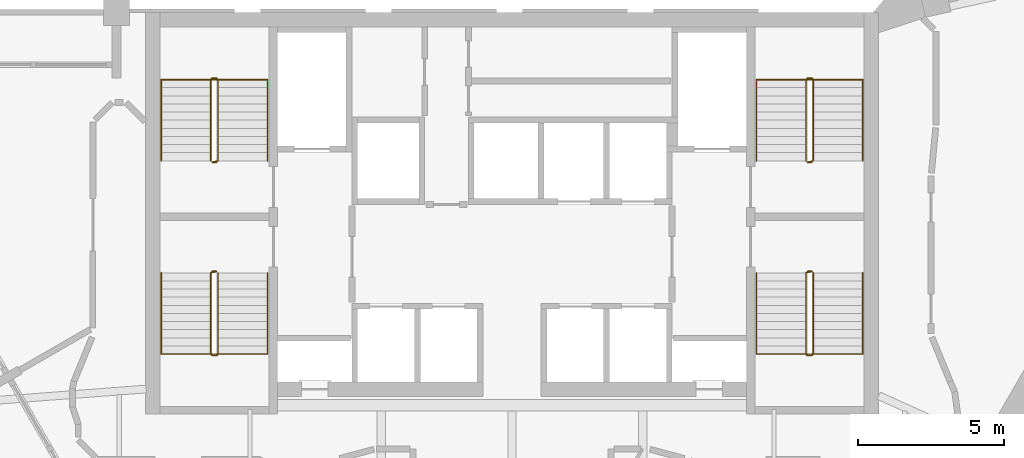
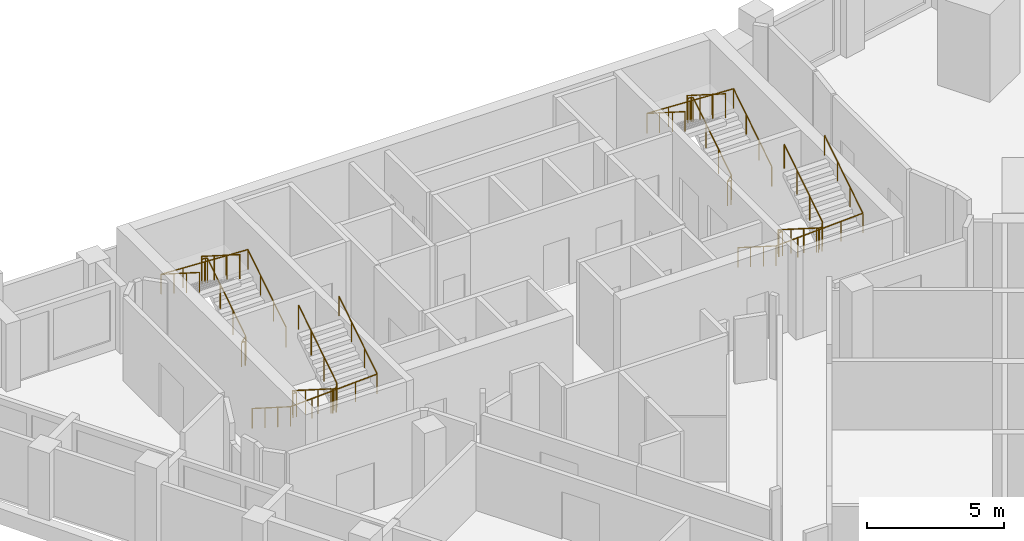
# One storey, part 8 of 8: 8 railings.
"""IFC4 building model written with IfcOpenShell, lengths in metres."""

from ifc_helpers import new_model, si_unit, direction, frame, origin, origin_2d, place, context, subcontext, project, spatial, circle, extrude, material, type_object, element, save


model = new_model("IFC4")

# Units and contexts
model_context = context("Model", 3, precision=1e-05, world=origin(), true_north=direction((0.0, 1.0)))
body_context = subcontext(model_context, "Body", "Model", "MODEL_VIEW")
ifc_project = project(units=[si_unit("LENGTHUNIT", "METRE"), si_unit("AREAUNIT", "SQUARE_METRE"), si_unit("VOLUMEUNIT", "CUBIC_METRE"), si_unit("PLANEANGLEUNIT", "RADIAN"), si_unit("MASSUNIT", "GRAM", prefix="KILO")], contexts=[model_context])

# Site, building, storey
site_placement = place(None, origin())
site = spatial("IfcSite", under=ifc_project, at=site_placement, CompositionType="ELEMENT")
building_placement = place(site_placement, origin())
building = spatial("IfcBuilding", under=site, at=building_placement, Name="Calabash Gate Tower", CompositionType="ELEMENT")
storey_placement = place(building_placement, frame((0.0, 0.0, 267.699951171875)))
storey = spatial("IfcBuildingStorey", under=building, at=storey_placement, Name="L64", CompositionType="ELEMENT", Elevation=267.699951171875)

# Railings
ifc_material_1 = material(Name="Black powder-coated steel balusters", Category="steel")
railing_type_1 = type_object("IfcRailingType", Name="Stair guard RL1100", PredefinedType="GUARDRAIL", material=ifc_material_1)
railing_1_placement = place(storey_placement, frame((-10.14990234375, 13.902587890625, 0.0)))
element("IfcRailing", 1, at=railing_1_placement, inside=storey, type_object=railing_type_1, Name="L64 ST1 stair guard 1", PredefinedType="GUARDRAIL", context=body_context, shape_type="SweptSolid", body=[
    extrude(circle(Radius=0.02392578125, at=origin_2d()), frame((0.0, 0.0, 1.076171875), z_axis=(-1.0, 0.0, 0.0), x_axis=(0.0, -1.0, 0.0)), (0.0, 0.0, 1.0), 0.150146484375),
    extrude(circle(Radius=0.02392578125, at=origin_2d()), frame((-0.150146484375, 0.0, 1.076171875), z_axis=(0.735524641326, 0.184105679453, 0.652003528208), x_axis=(-0.242814311512, 0.970072785993, 0.0)), (0.0, 0.0, 1.0), 0.271728515625),
    extrude(circle(Radius=0.02392578125, at=origin_2d()), frame((0.0498046875, 0.050048828125, 1.25341796875), z_axis=(0.0, 0.844041424197, 0.536277982245), x_axis=(-1.0, 0.0, 0.0)), (0.0, 0.0, 1.0), 3.3056640625),
    extrude(circle(Radius=0.02392578125, at=origin_2d()), frame((0.0498046875, 2.840087890625, 3.02587890625), z_axis=(-0.707106781187, 0.707106781187, 0.0), x_axis=(-0.707106781187, -0.707106781187, 0.0)), (0.0, 0.0, 1.0), 0.0703125),
    extrude(circle(Radius=0.02392578125, at=origin_2d()), frame((0.0, 2.889892578125, 3.02587890625), z_axis=(-1.0, 0.0, 0.0), x_axis=(0.0, -1.0, 0.0)), (0.0, 0.0, 1.0), 0.150146484375),
    extrude(circle(Radius=0.02392578125, at=origin_2d()), frame((-0.150146484375, 2.889892578125, 3.02587890625), z_axis=(-0.262009983441, -0.260731885961, 0.929176868105), x_axis=(0.705375805398, -0.708833529934, 0.0)), (0.0, 0.0, 1.0), 0.19091796875),
    extrude(circle(Radius=0.02392578125, at=origin_2d()), frame((-0.2001953125, 2.840087890625, 3.20361328125), z_axis=(0.0, -0.844041424197, 0.536277982245), x_axis=(1.0, 0.0, 0.0)), (0.0, 0.0, 1.0), 3.3056640625),
    extrude(circle(Radius=0.02099609375, at=origin_2d()), origin(), (0.0, 0.0, 1.0), 1.052001953125),
    extrude(circle(Radius=0.02099609375, at=origin_2d()), frame((-0.150146484375, 0.0, 0.0)), (0.0, 0.0, 1.0), 1.052001953125),
    extrude(circle(Radius=0.02099609375, at=origin_2d()), frame((0.0498046875, 0.050048828125, 0.17724609375)), (0.0, 0.0, 1.0), 1.052001953125),
    extrude(circle(Radius=0.02099609375, at=origin_2d()), frame((0.0498046875, 0.97998046875, 0.76806640625)), (0.0, 0.0, 1.0), 1.052001953125),
    extrude(circle(Radius=0.02099609375, at=origin_2d()), frame((0.0498046875, 1.91015625, 1.359130859375)), (0.0, 0.0, 1.0), 1.052001953125),
    extrude(circle(Radius=0.02099609375, at=origin_2d()), frame((0.0498046875, 2.840087890625, 1.949951171875)), (0.0, 0.0, 1.0), 1.052001953125),
    extrude(circle(Radius=0.02099609375, at=origin_2d()), frame((0.0, 2.889892578125, 1.949951171875)), (0.0, 0.0, 1.0), 1.052001953125),
    extrude(circle(Radius=0.02099609375, at=origin_2d()), frame((-0.150146484375, 2.889892578125, 1.949951171875)), (0.0, 0.0, 1.0), 1.052001953125),
    extrude(circle(Radius=0.02099609375, at=origin_2d()), frame((-0.2001953125, 2.840087890625, 2.12744140625)), (0.0, 0.0, 1.0), 1.052001953125),
    extrude(circle(Radius=0.02099609375, at=origin_2d()), frame((-0.2001953125, 1.91015625, 2.71826171875)), (0.0, 0.0, 1.0), 1.052001953125),
    extrude(circle(Radius=0.02099609375, at=origin_2d()), frame((-0.2001953125, 0.97998046875, 3.309326171875)), (0.0, 0.0, 1.0), 1.052001953125),
    extrude(circle(Radius=0.02099609375, at=origin_2d()), frame((-0.2001953125, 0.050048828125, 3.900146484375)), (0.0, 0.0, 1.0), 1.052001953125),
])
railing_2_placement = place(storey_placement, frame((-10.300048828125, 10.152587890625, 0.0)))
element("IfcRailing", 2, at=railing_2_placement, inside=storey, type_object=railing_type_1, Name="L64 ST2 stair guard 1", PredefinedType="GUARDRAIL", context=body_context, shape_type="SweptSolid", body=[
    extrude(circle(Radius=0.02392578125, at=origin_2d()), frame((0.0, 0.0, 1.076171875), z_axis=(1.0, 0.0, 0.0), x_axis=(0.0, 1.0, 0.0)), (0.0, 0.0, 1.0), 0.150146484375),
    extrude(circle(Radius=0.02392578125, at=origin_2d()), frame((0.150146484375, 0.0, 1.076171875), z_axis=(-0.735936453418, -0.183984113355, 0.651573006319), x_axis=(0.242535625036, -0.970142500145, 0.0)), (0.0, 0.0, 1.0), 0.27197265625),
    extrude(circle(Radius=0.02392578125, at=origin_2d()), frame((-0.050048828125, -0.050048828125, 1.25341796875), z_axis=(0.0, -0.844041424197, 0.536277982245), x_axis=(1.0, 0.0, 0.0)), (0.0, 0.0, 1.0), 3.3056640625),
    extrude(circle(Radius=0.02392578125, at=origin_2d()), frame((-0.050048828125, -2.840087890625, 3.02587890625), z_axis=(0.708833529934, -0.705375805398, 0.0), x_axis=(0.705375805398, 0.708833529934, 0.0)), (0.0, 0.0, 1.0), 0.070556640625),
    extrude(circle(Radius=0.02392578125, at=origin_2d()), frame((0.0, -2.889892578125, 3.02587890625), z_axis=(1.0, 0.0, 0.0), x_axis=(0.0, 1.0, 0.0)), (0.0, 0.0, 1.0), 0.150146484375),
    extrude(circle(Radius=0.02392578125, at=origin_2d()), frame((0.150146484375, -2.889892578125, 3.02587890625), z_axis=(0.26081902908, 0.26081902908, 0.92948742226), x_axis=(-0.707106781187, 0.707106781187, 0.0)), (0.0, 0.0, 1.0), 0.19091796875),
    extrude(circle(Radius=0.02392578125, at=origin_2d()), frame((0.199951171875, -2.840087890625, 3.20361328125), z_axis=(0.0, 0.844041424197, 0.536277982245), x_axis=(-1.0, 0.0, 0.0)), (0.0, 0.0, 1.0), 3.3056640625),
    extrude(circle(Radius=0.02099609375, at=origin_2d()), origin(), (0.0, 0.0, 1.0), 1.052001953125),
    extrude(circle(Radius=0.02099609375, at=origin_2d()), frame((0.150146484375, 0.0, 0.0)), (0.0, 0.0, 1.0), 1.052001953125),
    extrude(circle(Radius=0.02099609375, at=origin_2d()), frame((-0.050048828125, -0.050048828125, 0.17724609375)), (0.0, 0.0, 1.0), 1.052001953125),
    extrude(circle(Radius=0.02099609375, at=origin_2d()), frame((-0.050048828125, -0.97998046875, 0.76806640625)), (0.0, 0.0, 1.0), 1.052001953125),
    extrude(circle(Radius=0.02099609375, at=origin_2d()), frame((-0.050048828125, -1.91015625, 1.359130859375)), (0.0, 0.0, 1.0), 1.052001953125),
    extrude(circle(Radius=0.02099609375, at=origin_2d()), frame((-0.050048828125, -2.840087890625, 1.949951171875)), (0.0, 0.0, 1.0), 1.052001953125),
    extrude(circle(Radius=0.02099609375, at=origin_2d()), frame((0.0, -2.889892578125, 1.949951171875)), (0.0, 0.0, 1.0), 1.052001953125),
    extrude(circle(Radius=0.02099609375, at=origin_2d()), frame((0.150146484375, -2.889892578125, 1.949951171875)), (0.0, 0.0, 1.0), 1.052001953125),
    extrude(circle(Radius=0.02099609375, at=origin_2d()), frame((0.199951171875, -2.840087890625, 2.12744140625)), (0.0, 0.0, 1.0), 1.052001953125),
    extrude(circle(Radius=0.02099609375, at=origin_2d()), frame((0.199951171875, -1.91015625, 2.71826171875)), (0.0, 0.0, 1.0), 1.052001953125),
    extrude(circle(Radius=0.02099609375, at=origin_2d()), frame((0.199951171875, -0.97998046875, 3.309326171875)), (0.0, 0.0, 1.0), 1.052001953125),
    extrude(circle(Radius=0.02099609375, at=origin_2d()), frame((0.199951171875, -0.050048828125, 3.900146484375)), (0.0, 0.0, 1.0), 1.052001953125),
])
railing_3_placement = place(storey_placement, frame((10.300048828125, 13.902587890625, 0.0)))
element("IfcRailing", 3, at=railing_3_placement, inside=storey, type_object=railing_type_1, Name="L64 ST3 stair guard 1", PredefinedType="GUARDRAIL", context=body_context, shape_type="SweptSolid", body=[
    extrude(circle(Radius=0.02392578125, at=origin_2d()), frame((0.0, 0.0, 1.076171875), z_axis=(-1.0, 0.0, 0.0), x_axis=(0.0, -1.0, 0.0)), (0.0, 0.0, 1.0), 0.150146484375),
    extrude(circle(Radius=0.02392578125, at=origin_2d()), frame((-0.150146484375, 0.0, 1.076171875), z_axis=(0.735936453418, 0.183984113355, 0.651573006319), x_axis=(-0.242535625036, 0.970142500145, 0.0)), (0.0, 0.0, 1.0), 0.27197265625),
    extrude(circle(Radius=0.02392578125, at=origin_2d()), frame((0.050048828125, 0.050048828125, 1.25341796875), z_axis=(0.0, 0.844041424197, 0.536277982245), x_axis=(-1.0, 0.0, 0.0)), (0.0, 0.0, 1.0), 3.3056640625),
    extrude(circle(Radius=0.02392578125, at=origin_2d()), frame((0.050048828125, 2.840087890625, 3.02587890625), z_axis=(-0.708833529934, 0.705375805398, 0.0), x_axis=(-0.705375805398, -0.708833529934, 0.0)), (0.0, 0.0, 1.0), 0.070556640625),
    extrude(circle(Radius=0.02392578125, at=origin_2d()), frame((0.0, 2.889892578125, 3.02587890625), z_axis=(-1.0, 0.0, 0.0), x_axis=(0.0, -1.0, 0.0)), (0.0, 0.0, 1.0), 0.150146484375),
    extrude(circle(Radius=0.02392578125, at=origin_2d()), frame((-0.150146484375, 2.889892578125, 3.02587890625), z_axis=(-0.26081902908, -0.26081902908, 0.92948742226), x_axis=(0.707106781187, -0.707106781187, 0.0)), (0.0, 0.0, 1.0), 0.19091796875),
    extrude(circle(Radius=0.02392578125, at=origin_2d()), frame((-0.199951171875, 2.840087890625, 3.20361328125), z_axis=(0.0, -0.844041424197, 0.536277982245), x_axis=(1.0, 0.0, 0.0)), (0.0, 0.0, 1.0), 3.3056640625),
    extrude(circle(Radius=0.02099609375, at=origin_2d()), origin(), (0.0, 0.0, 1.0), 1.052001953125),
    extrude(circle(Radius=0.02099609375, at=origin_2d()), frame((-0.150146484375, 0.0, 0.0)), (0.0, 0.0, 1.0), 1.052001953125),
    extrude(circle(Radius=0.02099609375, at=origin_2d()), frame((0.050048828125, 0.050048828125, 0.17724609375)), (0.0, 0.0, 1.0), 1.052001953125),
    extrude(circle(Radius=0.02099609375, at=origin_2d()), frame((0.050048828125, 0.97998046875, 0.76806640625)), (0.0, 0.0, 1.0), 1.052001953125),
    extrude(circle(Radius=0.02099609375, at=origin_2d()), frame((0.050048828125, 1.91015625, 1.359130859375)), (0.0, 0.0, 1.0), 1.052001953125),
    extrude(circle(Radius=0.02099609375, at=origin_2d()), frame((0.050048828125, 2.840087890625, 1.949951171875)), (0.0, 0.0, 1.0), 1.052001953125),
    extrude(circle(Radius=0.02099609375, at=origin_2d()), frame((0.0, 2.889892578125, 1.949951171875)), (0.0, 0.0, 1.0), 1.052001953125),
    extrude(circle(Radius=0.02099609375, at=origin_2d()), frame((-0.150146484375, 2.889892578125, 1.949951171875)), (0.0, 0.0, 1.0), 1.052001953125),
    extrude(circle(Radius=0.02099609375, at=origin_2d()), frame((-0.199951171875, 2.840087890625, 2.12744140625)), (0.0, 0.0, 1.0), 1.052001953125),
    extrude(circle(Radius=0.02099609375, at=origin_2d()), frame((-0.199951171875, 1.91015625, 2.71826171875)), (0.0, 0.0, 1.0), 1.052001953125),
    extrude(circle(Radius=0.02099609375, at=origin_2d()), frame((-0.199951171875, 0.97998046875, 3.309326171875)), (0.0, 0.0, 1.0), 1.052001953125),
    extrude(circle(Radius=0.02099609375, at=origin_2d()), frame((-0.199951171875, 0.050048828125, 3.900146484375)), (0.0, 0.0, 1.0), 1.052001953125),
])
railing_4_placement = place(storey_placement, frame((10.14990234375, 10.152587890625, 0.0)))
element("IfcRailing", 4, at=railing_4_placement, inside=storey, type_object=railing_type_1, Name="L64 ST4 stair guard 1", PredefinedType="GUARDRAIL", context=body_context, shape_type="SweptSolid", body=[
    extrude(circle(Radius=0.02392578125, at=origin_2d()), frame((0.0, 0.0, 1.076171875), z_axis=(1.0, 0.0, 0.0), x_axis=(0.0, 1.0, 0.0)), (0.0, 0.0, 1.0), 0.150146484375),
    extrude(circle(Radius=0.02392578125, at=origin_2d()), frame((0.150146484375, 0.0, 1.076171875), z_axis=(-0.735524641326, -0.184105679453, 0.652003528208), x_axis=(0.242814311512, -0.970072785993, 0.0)), (0.0, 0.0, 1.0), 0.271728515625),
    extrude(circle(Radius=0.02392578125, at=origin_2d()), frame((-0.0498046875, -0.050048828125, 1.25341796875), z_axis=(0.0, -0.844041424197, 0.536277982245), x_axis=(1.0, 0.0, 0.0)), (0.0, 0.0, 1.0), 3.3056640625),
    extrude(circle(Radius=0.02392578125, at=origin_2d()), frame((-0.0498046875, -2.840087890625, 3.02587890625), z_axis=(0.707106781187, -0.707106781187, 0.0), x_axis=(0.707106781187, 0.707106781187, 0.0)), (0.0, 0.0, 1.0), 0.0703125),
    extrude(circle(Radius=0.02392578125, at=origin_2d()), frame((0.0, -2.889892578125, 3.02587890625), z_axis=(1.0, 0.0, 0.0), x_axis=(0.0, 1.0, 0.0)), (0.0, 0.0, 1.0), 0.150146484375),
    extrude(circle(Radius=0.02392578125, at=origin_2d()), frame((0.150146484375, -2.889892578125, 3.02587890625), z_axis=(0.262009983441, 0.260731885961, 0.929176868105), x_axis=(-0.705375805398, 0.708833529934, 0.0)), (0.0, 0.0, 1.0), 0.19091796875),
    extrude(circle(Radius=0.02392578125, at=origin_2d()), frame((0.2001953125, -2.840087890625, 3.20361328125), z_axis=(0.0, 0.844041424197, 0.536277982245), x_axis=(-1.0, 0.0, 0.0)), (0.0, 0.0, 1.0), 3.3056640625),
    extrude(circle(Radius=0.02099609375, at=origin_2d()), origin(), (0.0, 0.0, 1.0), 1.052001953125),
    extrude(circle(Radius=0.02099609375, at=origin_2d()), frame((0.150146484375, 0.0, 0.0)), (0.0, 0.0, 1.0), 1.052001953125),
    extrude(circle(Radius=0.02099609375, at=origin_2d()), frame((-0.0498046875, -0.050048828125, 0.17724609375)), (0.0, 0.0, 1.0), 1.052001953125),
    extrude(circle(Radius=0.02099609375, at=origin_2d()), frame((-0.0498046875, -0.97998046875, 0.76806640625)), (0.0, 0.0, 1.0), 1.052001953125),
    extrude(circle(Radius=0.02099609375, at=origin_2d()), frame((-0.0498046875, -1.91015625, 1.359130859375)), (0.0, 0.0, 1.0), 1.052001953125),
    extrude(circle(Radius=0.02099609375, at=origin_2d()), frame((-0.0498046875, -2.840087890625, 1.949951171875)), (0.0, 0.0, 1.0), 1.052001953125),
    extrude(circle(Radius=0.02099609375, at=origin_2d()), frame((0.0, -2.889892578125, 1.949951171875)), (0.0, 0.0, 1.0), 1.052001953125),
    extrude(circle(Radius=0.02099609375, at=origin_2d()), frame((0.150146484375, -2.889892578125, 1.949951171875)), (0.0, 0.0, 1.0), 1.052001953125),
    extrude(circle(Radius=0.02099609375, at=origin_2d()), frame((0.2001953125, -2.840087890625, 2.12744140625)), (0.0, 0.0, 1.0), 1.052001953125),
    extrude(circle(Radius=0.02099609375, at=origin_2d()), frame((0.2001953125, -1.91015625, 2.71826171875)), (0.0, 0.0, 1.0), 1.052001953125),
    extrude(circle(Radius=0.02099609375, at=origin_2d()), frame((0.2001953125, -0.97998046875, 3.309326171875)), (0.0, 0.0, 1.0), 1.052001953125),
    extrude(circle(Radius=0.02099609375, at=origin_2d()), frame((0.2001953125, -0.050048828125, 3.900146484375)), (0.0, 0.0, 1.0), 1.052001953125),
])
ifc_material_2 = material(Name="Black powder-coated steel tube 48 mm", Category="steel")
railing_type_2 = type_object("IfcRailingType", Name="Stair handrail RL900", PredefinedType="HANDRAIL", material=ifc_material_2)
railing_5_placement = place(storey_placement, frame((-8.39990234375, 13.95263671875, 0.17724609375)))
element("IfcRailing", 5, at=railing_5_placement, inside=storey, type_object=railing_type_2, Name="L64 ST1 stair handrail 1", PredefinedType="HANDRAIL", context=body_context, shape_type="SweptSolid", body=[
    extrude(circle(Radius=0.02392578125, at=origin_2d()), frame((0.0, 0.0, 0.8759765625), z_axis=(0.0, 0.844041424197, 0.536277982245), x_axis=(-1.0, 0.0, 0.0)), (0.0, 0.0, 1.0), 3.3056640625),
    extrude(circle(Radius=0.02392578125, at=origin_2d()), frame((0.0, 2.7900390625, 2.6484375), z_axis=(-0.998819872233, 0.0, 0.048568125685), x_axis=(0.0, -1.0, 0.0)), (0.0, 0.0, 1.0), 3.654541015625),
    extrude(circle(Radius=0.02392578125, at=origin_2d()), frame((-3.650146484375, 2.7900390625, 2.826171875), z_axis=(0.0, -0.844041424197, 0.536277982245), x_axis=(1.0, 0.0, 0.0)), (0.0, 0.0, 1.0), 3.3056640625),
    extrude(circle(Radius=0.02099609375, at=origin_2d()), origin(), (0.0, 0.0, 1.0), 0.851806640625),
    extrude(circle(Radius=0.02099609375, at=origin_2d()), frame((0.0, 0.929931640625, 0.5908203125)), (0.0, 0.0, 1.0), 0.851806640625),
    extrude(circle(Radius=0.02099609375, at=origin_2d()), frame((0.0, 1.860107421875, 1.181884765625)), (0.0, 0.0, 1.0), 0.851806640625),
    extrude(circle(Radius=0.02099609375, at=origin_2d()), frame((0.0, 2.7900390625, 1.772705078125)), (0.0, 0.0, 1.0), 0.851806640625),
    extrude(circle(Radius=0.02099609375, at=origin_2d()), frame((-0.91259765625, 2.7900390625, 1.817138671875)), (0.0, 0.0, 1.0), 0.851806640625),
    extrude(circle(Radius=0.02099609375, at=origin_2d()), frame((-1.8251953125, 2.7900390625, 1.861328125)), (0.0, 0.0, 1.0), 0.851806640625),
    extrude(circle(Radius=0.02099609375, at=origin_2d()), frame((-2.737548828125, 2.7900390625, 1.90576171875)), (0.0, 0.0, 1.0), 0.851806640625),
    extrude(circle(Radius=0.02099609375, at=origin_2d()), frame((-3.650146484375, 2.7900390625, 1.9501953125)), (0.0, 0.0, 1.0), 0.851806640625),
    extrude(circle(Radius=0.02099609375, at=origin_2d()), frame((-3.650146484375, 1.860107421875, 2.541015625)), (0.0, 0.0, 1.0), 0.851806640625),
    extrude(circle(Radius=0.02099609375, at=origin_2d()), frame((-3.650146484375, 0.929931640625, 3.132080078125)), (0.0, 0.0, 1.0), 0.851806640625),
    extrude(circle(Radius=0.02099609375, at=origin_2d()), frame((-3.650146484375, 0.0, 3.722900390625)), (0.0, 0.0, 1.0), 0.851806640625),
])
railing_6_placement = place(storey_placement, frame((-12.050048828125, 10.1025390625, 0.17724609375)))
element("IfcRailing", 6, at=railing_6_placement, inside=storey, type_object=railing_type_2, Name="L64 ST2 stair handrail 1", PredefinedType="HANDRAIL", context=body_context, shape_type="SweptSolid", body=[
    extrude(circle(Radius=0.02392578125, at=origin_2d()), frame((0.0, 0.0, 0.8759765625), z_axis=(0.0, -0.844041424197, 0.536277982245), x_axis=(1.0, 0.0, 0.0)), (0.0, 0.0, 1.0), 3.3056640625),
    extrude(circle(Radius=0.02392578125, at=origin_2d()), frame((0.0, -2.7900390625, 2.6484375), z_axis=(0.998819872233, 0.0, 0.048568125685), x_axis=(0.0, 1.0, 0.0)), (0.0, 0.0, 1.0), 3.654541015625),
    extrude(circle(Radius=0.02392578125, at=origin_2d()), frame((3.650146484375, -2.7900390625, 2.826171875), z_axis=(0.0, 0.844041424197, 0.536277982245), x_axis=(-1.0, 0.0, 0.0)), (0.0, 0.0, 1.0), 3.3056640625),
    extrude(circle(Radius=0.02099609375, at=origin_2d()), origin(), (0.0, 0.0, 1.0), 0.851806640625),
    extrude(circle(Radius=0.02099609375, at=origin_2d()), frame((0.0, -0.929931640625, 0.5908203125)), (0.0, 0.0, 1.0), 0.851806640625),
    extrude(circle(Radius=0.02099609375, at=origin_2d()), frame((0.0, -1.860107421875, 1.181884765625)), (0.0, 0.0, 1.0), 0.851806640625),
    extrude(circle(Radius=0.02099609375, at=origin_2d()), frame((0.0, -2.7900390625, 1.772705078125)), (0.0, 0.0, 1.0), 0.851806640625),
    extrude(circle(Radius=0.02099609375, at=origin_2d()), frame((0.91259765625, -2.7900390625, 1.817138671875)), (0.0, 0.0, 1.0), 0.851806640625),
    extrude(circle(Radius=0.02099609375, at=origin_2d()), frame((1.8251953125, -2.7900390625, 1.861328125)), (0.0, 0.0, 1.0), 0.851806640625),
    extrude(circle(Radius=0.02099609375, at=origin_2d()), frame((2.737548828125, -2.7900390625, 1.90576171875)), (0.0, 0.0, 1.0), 0.851806640625),
    extrude(circle(Radius=0.02099609375, at=origin_2d()), frame((3.650146484375, -2.7900390625, 1.9501953125)), (0.0, 0.0, 1.0), 0.851806640625),
    extrude(circle(Radius=0.02099609375, at=origin_2d()), frame((3.650146484375, -1.860107421875, 2.541015625)), (0.0, 0.0, 1.0), 0.851806640625),
    extrude(circle(Radius=0.02099609375, at=origin_2d()), frame((3.650146484375, -0.929931640625, 3.132080078125)), (0.0, 0.0, 1.0), 0.851806640625),
    extrude(circle(Radius=0.02099609375, at=origin_2d()), frame((3.650146484375, 0.0, 3.722900390625)), (0.0, 0.0, 1.0), 0.851806640625),
])
railing_7_placement = place(storey_placement, frame((12.050048828125, 13.95263671875, 0.17724609375)))
element("IfcRailing", 7, at=railing_7_placement, inside=storey, type_object=railing_type_2, Name="L64 ST3 stair handrail 1", PredefinedType="HANDRAIL", context=body_context, shape_type="SweptSolid", body=[
    extrude(circle(Radius=0.02392578125, at=origin_2d()), frame((0.0, 0.0, 0.8759765625), z_axis=(0.0, 0.844041424197, 0.536277982245), x_axis=(-1.0, 0.0, 0.0)), (0.0, 0.0, 1.0), 3.3056640625),
    extrude(circle(Radius=0.02392578125, at=origin_2d()), frame((0.0, 2.7900390625, 2.6484375), z_axis=(-0.998819872233, 0.0, 0.048568125685), x_axis=(0.0, -1.0, 0.0)), (0.0, 0.0, 1.0), 3.654541015625),
    extrude(circle(Radius=0.02392578125, at=origin_2d()), frame((-3.650146484375, 2.7900390625, 2.826171875), z_axis=(0.0, -0.844041424197, 0.536277982245), x_axis=(1.0, 0.0, 0.0)), (0.0, 0.0, 1.0), 3.3056640625),
    extrude(circle(Radius=0.02099609375, at=origin_2d()), origin(), (0.0, 0.0, 1.0), 0.851806640625),
    extrude(circle(Radius=0.02099609375, at=origin_2d()), frame((0.0, 0.929931640625, 0.5908203125)), (0.0, 0.0, 1.0), 0.851806640625),
    extrude(circle(Radius=0.02099609375, at=origin_2d()), frame((0.0, 1.860107421875, 1.181884765625)), (0.0, 0.0, 1.0), 0.851806640625),
    extrude(circle(Radius=0.02099609375, at=origin_2d()), frame((0.0, 2.7900390625, 1.772705078125)), (0.0, 0.0, 1.0), 0.851806640625),
    extrude(circle(Radius=0.02099609375, at=origin_2d()), frame((-0.91259765625, 2.7900390625, 1.817138671875)), (0.0, 0.0, 1.0), 0.851806640625),
    extrude(circle(Radius=0.02099609375, at=origin_2d()), frame((-1.8251953125, 2.7900390625, 1.861328125)), (0.0, 0.0, 1.0), 0.851806640625),
    extrude(circle(Radius=0.02099609375, at=origin_2d()), frame((-2.737548828125, 2.7900390625, 1.90576171875)), (0.0, 0.0, 1.0), 0.851806640625),
    extrude(circle(Radius=0.02099609375, at=origin_2d()), frame((-3.650146484375, 2.7900390625, 1.9501953125)), (0.0, 0.0, 1.0), 0.851806640625),
    extrude(circle(Radius=0.02099609375, at=origin_2d()), frame((-3.650146484375, 1.860107421875, 2.541015625)), (0.0, 0.0, 1.0), 0.851806640625),
    extrude(circle(Radius=0.02099609375, at=origin_2d()), frame((-3.650146484375, 0.929931640625, 3.132080078125)), (0.0, 0.0, 1.0), 0.851806640625),
    extrude(circle(Radius=0.02099609375, at=origin_2d()), frame((-3.650146484375, 0.0, 3.722900390625)), (0.0, 0.0, 1.0), 0.851806640625),
])
railing_8_placement = place(storey_placement, frame((8.39990234375, 10.1025390625, 0.17724609375)))
element("IfcRailing", 8, at=railing_8_placement, inside=storey, type_object=railing_type_2, Name="L64 ST4 stair handrail 1", PredefinedType="HANDRAIL", context=body_context, shape_type="SweptSolid", body=[
    extrude(circle(Radius=0.02392578125, at=origin_2d()), frame((0.0, 0.0, 0.8759765625), z_axis=(0.0, -0.844041424197, 0.536277982245), x_axis=(1.0, 0.0, 0.0)), (0.0, 0.0, 1.0), 3.3056640625),
    extrude(circle(Radius=0.02392578125, at=origin_2d()), frame((0.0, -2.7900390625, 2.6484375), z_axis=(0.998819872233, 0.0, 0.048568125685), x_axis=(0.0, 1.0, 0.0)), (0.0, 0.0, 1.0), 3.654541015625),
    extrude(circle(Radius=0.02392578125, at=origin_2d()), frame((3.650146484375, -2.7900390625, 2.826171875), z_axis=(0.0, 0.844041424197, 0.536277982245), x_axis=(-1.0, 0.0, 0.0)), (0.0, 0.0, 1.0), 3.3056640625),
    extrude(circle(Radius=0.02099609375, at=origin_2d()), origin(), (0.0, 0.0, 1.0), 0.851806640625),
    extrude(circle(Radius=0.02099609375, at=origin_2d()), frame((0.0, -0.929931640625, 0.5908203125)), (0.0, 0.0, 1.0), 0.851806640625),
    extrude(circle(Radius=0.02099609375, at=origin_2d()), frame((0.0, -1.860107421875, 1.181884765625)), (0.0, 0.0, 1.0), 0.851806640625),
    extrude(circle(Radius=0.02099609375, at=origin_2d()), frame((0.0, -2.7900390625, 1.772705078125)), (0.0, 0.0, 1.0), 0.851806640625),
    extrude(circle(Radius=0.02099609375, at=origin_2d()), frame((0.91259765625, -2.7900390625, 1.817138671875)), (0.0, 0.0, 1.0), 0.851806640625),
    extrude(circle(Radius=0.02099609375, at=origin_2d()), frame((1.8251953125, -2.7900390625, 1.861328125)), (0.0, 0.0, 1.0), 0.851806640625),
    extrude(circle(Radius=0.02099609375, at=origin_2d()), frame((2.737548828125, -2.7900390625, 1.90576171875)), (0.0, 0.0, 1.0), 0.851806640625),
    extrude(circle(Radius=0.02099609375, at=origin_2d()), frame((3.650146484375, -2.7900390625, 1.9501953125)), (0.0, 0.0, 1.0), 0.851806640625),
    extrude(circle(Radius=0.02099609375, at=origin_2d()), frame((3.650146484375, -1.860107421875, 2.541015625)), (0.0, 0.0, 1.0), 0.851806640625),
    extrude(circle(Radius=0.02099609375, at=origin_2d()), frame((3.650146484375, -0.929931640625, 3.132080078125)), (0.0, 0.0, 1.0), 0.851806640625),
    extrude(circle(Radius=0.02099609375, at=origin_2d()), frame((3.650146484375, 0.0, 3.722900390625)), (0.0, 0.0, 1.0), 0.851806640625),
])

save(model, "model.ifc")
